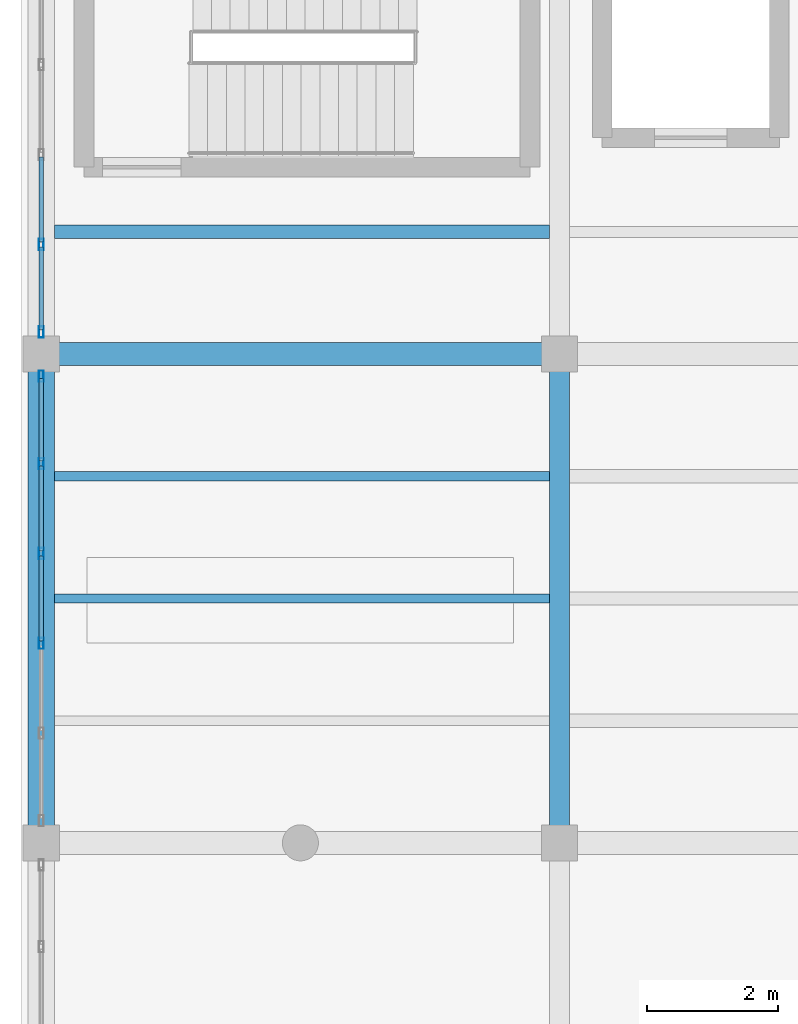
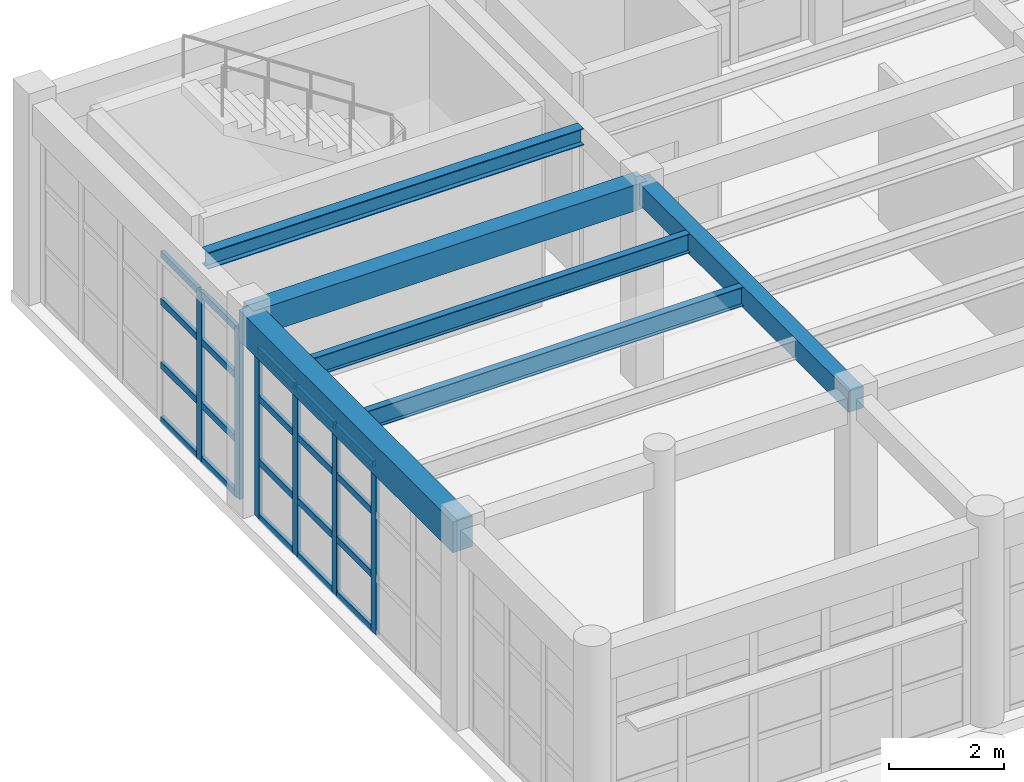
# One storey, part 5 of 85: 26 members, 6 beams, 2 elements without a shape of their own.
"""IFC4 building model written with IfcOpenShell, lengths in metres."""

from ifc_helpers import new_model, si_unit, direction, frame, origin, origin_2d, place, context, subcontext, project, spatial, rectangle, hollow_rectangle, i_section, extrude, material, layer, layer_set, material_profile, profile_set, type_object, element, aggregate, save


model = new_model("IFC4")

# Units and contexts
model_context = context("Model", 3, precision=1e-05, world=origin(), true_north=direction((0.0, 1.0)))
body_context = subcontext(model_context, "Body", "Model", "MODEL_VIEW")
ifc_project = project(units=[si_unit("LENGTHUNIT", "METRE"), si_unit("AREAUNIT", "SQUARE_METRE"), si_unit("VOLUMEUNIT", "CUBIC_METRE"), si_unit("PLANEANGLEUNIT", "RADIAN"), si_unit("MASSUNIT", "GRAM", prefix="KILO")], contexts=[model_context])

# Site, building, storey
site_placement = place(None, origin())
site = spatial("IfcSite", under=ifc_project, at=site_placement, CompositionType="ELEMENT")
building_placement = place(site_placement, origin())
building = spatial("IfcBuilding", under=site, at=building_placement, Name="Candilejo Ridge Gondola Terminal", CompositionType="ELEMENT")
storey_placement = place(building_placement, frame((0.0, 0.0, 4.5)))
storey = spatial("IfcBuildingStorey", under=building, at=storey_placement, Name="L01", CompositionType="ELEMENT", Elevation=4.5)

# Curtain wall, members
ifc_material_1 = material(Name="Anodised aluminium AA 6063-T6", Category="aluminium")
ifc_layer = layer(ifc_material_1, 0.169921875)
ifc_layer_set = layer_set([ifc_layer], Name="ARC-CW-CONCOURSE-3600-685X359")
curtain_wall_type = type_object("IfcCurtainWallType", Name="ARC-CW-CONCOURSE-3600-685X359", PredefinedType="NOTDEFINED", material=ifc_layer_set)
curtain_wall_1_placement = place(storey_placement, origin())
curtain_wall_1 = element("IfcCurtainWall", 1, at=curtain_wall_1_placement, inside=storey, type_object=curtain_wall_type, Name="Curtain wall V1 L01-020", PredefinedType="NOTDEFINED")
ifc_material_2 = material(Name="Anodised aluminium AA 6063-T6", Category="aluminium")
ifc_material_profile_1 = material_profile(ifc_material_2, hollow_rectangle(XDim=0.074951171875, YDim=0.169921875, WallThickness=0.00390625, at=origin_2d()))
ifc_profile_set_1 = profile_set([ifc_material_profile_1], Name="Anodised aluminium AA 6063-T6")
member_type_1 = type_object("IfcMemberType", Name="ARC-CW-MULLION", PredefinedType="MULLION", material=ifc_profile_set_1)
member_1_placement = place(storey_placement, frame((4.300048828125, 13.840087890625, 0.0), z_axis=(0.0, 0.0, 1.0), x_axis=(-1.0, 0.0, 0.0)))
member_1 = element("IfcMember", 2, at=member_1_placement, type_object=member_type_1, Name="CW-68X35 mullion 3", PredefinedType="MULLION", context=body_context, shape_type="SweptSolid", body=[
    extrude(hollow_rectangle(XDim=0.074951171875, YDim=0.169921875, WallThickness=0.00390625, at=origin_2d()), origin(), (0.0, 0.0, 1.0), 3.590087890625),
])
member_2_placement = place(storey_placement, frame((4.300048828125, 15.2099609375, 0.0), z_axis=(0.0, 0.0, 1.0), x_axis=(-1.0, 0.0, 0.0)))
member_2 = element("IfcMember", 3, at=member_2_placement, type_object=member_type_1, Name="CW-68X35 mullion 4", PredefinedType="MULLION", context=body_context, shape_type="SweptSolid", body=[
    extrude(hollow_rectangle(XDim=0.074951171875, YDim=0.169921875, WallThickness=0.00390625, at=origin_2d()), origin(), (0.0, 0.0, 1.0), 3.590087890625),
])
member_3_placement = place(storey_placement, frame((4.300048828125, 16.580078125, 0.0), z_axis=(0.0, 0.0, 1.0), x_axis=(-1.0, 0.0, 0.0)))
member_3 = element("IfcMember", 4, at=member_3_placement, type_object=member_type_1, Name="CW-68X35 mullion 5", PredefinedType="MULLION", context=body_context, shape_type="SweptSolid", body=[
    extrude(hollow_rectangle(XDim=0.074951171875, YDim=0.169921875, WallThickness=0.00390625, at=origin_2d()), origin(), (0.0, 0.0, 1.0), 3.590087890625),
])
member_4_placement = place(storey_placement, frame((4.300048828125, 17.91259765625, 0.0), z_axis=(0.0, 0.0, 1.0), x_axis=(-1.0, 0.0, 0.0)))
member_4 = element("IfcMember", 5, at=member_4_placement, type_object=member_type_1, Name="CW-68X35 mullion 6", PredefinedType="MULLION", context=body_context, shape_type="SweptSolid", body=[
    extrude(hollow_rectangle(XDim=0.074951171875, YDim=0.169921875, WallThickness=0.00390625, at=origin_2d()), origin(), (0.0, 0.0, 1.0), 3.590087890625),
])

curtain_wall_2_placement = place(storey_placement, origin())
curtain_wall_2 = element("IfcCurtainWall", 6, at=curtain_wall_2_placement, inside=storey, type_object=curtain_wall_type, Name="Curtain wall V1 L01-021", PredefinedType="NOTDEFINED")
member_5_placement = place(storey_placement, frame((4.300048828125, 18.58740234375, 0.0), z_axis=(0.0, 0.0, 1.0), x_axis=(-1.0, 0.0, 0.0)))
member_5 = element("IfcMember", 7, at=member_5_placement, type_object=member_type_1, Name="CW-68X35 mullion 1", PredefinedType="MULLION", context=body_context, shape_type="SweptSolid", body=[
    extrude(hollow_rectangle(XDim=0.074951171875, YDim=0.169921875, WallThickness=0.00390625, at=origin_2d()), origin(), (0.0, 0.0, 1.0), 3.590087890625),
])
member_6_placement = place(storey_placement, frame((4.300048828125, 19.919921875, 0.0), z_axis=(0.0, 0.0, 1.0), x_axis=(-1.0, 0.0, 0.0)))
member_6 = element("IfcMember", 8, at=member_6_placement, type_object=member_type_1, Name="CW-68X35 mullion 2", PredefinedType="MULLION", context=body_context, shape_type="SweptSolid", body=[
    extrude(hollow_rectangle(XDim=0.074951171875, YDim=0.169921875, WallThickness=0.00390625, at=origin_2d()), origin(), (0.0, 0.0, 1.0), 3.590087890625),
])

# Member
ifc_material_3 = material(Name="Anodised aluminium AA 6063-T6", Category="aluminium")
ifc_material_profile_2 = material_profile(ifc_material_3, hollow_rectangle(XDim=0.074951171875, YDim=0.139892578125, WallThickness=0.00390625, at=origin_2d()))
ifc_profile_set_2 = profile_set([ifc_material_profile_2], Name="Anodised aluminium AA 6063-T6")
member_type_2 = type_object("IfcMemberType", Name="ARC-CW-TRANSOM", PredefinedType="USERDEFINED", material=ifc_profile_set_2)
member_7_placement = place(storey_placement, frame((4.300048828125, 13.87744140625, 0.03759765625), z_axis=(0.0, 1.0, 0.0), x_axis=(-1.0, 0.0, 0.0)))
member_7 = element("IfcMember", 9, at=member_7_placement, type_object=member_type_2, Name="CW-68X35 transom 3.1", ObjectType="TRANSOM", PredefinedType="USERDEFINED", context=body_context, shape_type="SweptSolid", body=[
    extrude(hollow_rectangle(XDim=0.074951171875, YDim=0.139892578125, WallThickness=0.00390625, at=origin_2d()), origin(), (0.0, 0.0, 1.0), 1.295166015625),
])

member_8_placement = place(storey_placement, frame((4.300048828125, 13.87744140625, 1.199951171875), z_axis=(0.0, 1.0, 0.0), x_axis=(-1.0, 0.0, 0.0)))
member_8 = element("IfcMember", 10, at=member_8_placement, type_object=member_type_2, Name="CW-68X35 transom 3.2", ObjectType="TRANSOM", PredefinedType="USERDEFINED", context=body_context, shape_type="SweptSolid", body=[
    extrude(hollow_rectangle(XDim=0.074951171875, YDim=0.139892578125, WallThickness=0.00390625, at=origin_2d()), origin(), (0.0, 0.0, 1.0), 1.295166015625),
])

member_9_placement = place(storey_placement, frame((4.300048828125, 13.87744140625, 2.550048828125), z_axis=(0.0, 1.0, 0.0), x_axis=(-1.0, 0.0, 0.0)))
member_9 = element("IfcMember", 11, at=member_9_placement, type_object=member_type_2, Name="CW-68X35 transom 3.3", ObjectType="TRANSOM", PredefinedType="USERDEFINED", context=body_context, shape_type="SweptSolid", body=[
    extrude(hollow_rectangle(XDim=0.074951171875, YDim=0.139892578125, WallThickness=0.00390625, at=origin_2d()), origin(), (0.0, 0.0, 1.0), 1.295166015625),
])

member_10_placement = place(storey_placement, frame((4.300048828125, 13.87744140625, 3.552490234375), z_axis=(0.0, 1.0, 0.0), x_axis=(-1.0, 0.0, 0.0)))
member_10 = element("IfcMember", 12, at=member_10_placement, type_object=member_type_2, Name="CW-68X35 transom 3.4", ObjectType="TRANSOM", PredefinedType="USERDEFINED", context=body_context, shape_type="SweptSolid", body=[
    extrude(hollow_rectangle(XDim=0.074951171875, YDim=0.139892578125, WallThickness=0.00390625, at=origin_2d()), origin(), (0.0, 0.0, 1.0), 1.295166015625),
])

member_11_placement = place(storey_placement, frame((4.300048828125, 15.24755859375, 0.03759765625), z_axis=(0.0, 1.0, 0.0), x_axis=(-1.0, 0.0, 0.0)))
member_11 = element("IfcMember", 13, at=member_11_placement, type_object=member_type_2, Name="CW-68X35 transom 4.1", ObjectType="TRANSOM", PredefinedType="USERDEFINED", context=body_context, shape_type="SweptSolid", body=[
    extrude(hollow_rectangle(XDim=0.074951171875, YDim=0.139892578125, WallThickness=0.00390625, at=origin_2d()), origin(), (0.0, 0.0, 1.0), 1.294921875),
])

member_12_placement = place(storey_placement, frame((4.300048828125, 15.24755859375, 1.199951171875), z_axis=(0.0, 1.0, 0.0), x_axis=(-1.0, 0.0, 0.0)))
member_12 = element("IfcMember", 14, at=member_12_placement, type_object=member_type_2, Name="CW-68X35 transom 4.2", ObjectType="TRANSOM", PredefinedType="USERDEFINED", context=body_context, shape_type="SweptSolid", body=[
    extrude(hollow_rectangle(XDim=0.074951171875, YDim=0.139892578125, WallThickness=0.00390625, at=origin_2d()), origin(), (0.0, 0.0, 1.0), 1.294921875),
])

member_13_placement = place(storey_placement, frame((4.300048828125, 15.24755859375, 2.550048828125), z_axis=(0.0, 1.0, 0.0), x_axis=(-1.0, 0.0, 0.0)))
member_13 = element("IfcMember", 15, at=member_13_placement, type_object=member_type_2, Name="CW-68X35 transom 4.3", ObjectType="TRANSOM", PredefinedType="USERDEFINED", context=body_context, shape_type="SweptSolid", body=[
    extrude(hollow_rectangle(XDim=0.074951171875, YDim=0.139892578125, WallThickness=0.00390625, at=origin_2d()), origin(), (0.0, 0.0, 1.0), 1.294921875),
])

member_14_placement = place(storey_placement, frame((4.300048828125, 15.24755859375, 3.552490234375), z_axis=(0.0, 1.0, 0.0), x_axis=(-1.0, 0.0, 0.0)))
member_14 = element("IfcMember", 16, at=member_14_placement, type_object=member_type_2, Name="CW-68X35 transom 4.4", ObjectType="TRANSOM", PredefinedType="USERDEFINED", context=body_context, shape_type="SweptSolid", body=[
    extrude(hollow_rectangle(XDim=0.074951171875, YDim=0.139892578125, WallThickness=0.00390625, at=origin_2d()), origin(), (0.0, 0.0, 1.0), 1.294921875),
])

member_15_placement = place(storey_placement, frame((4.300048828125, 16.617431640625, 0.03759765625), z_axis=(0.0, 1.0, 0.0), x_axis=(-1.0, 0.0, 0.0)))
member_15 = element("IfcMember", 17, at=member_15_placement, type_object=member_type_2, Name="CW-68X35 transom 5.1", ObjectType="TRANSOM", PredefinedType="USERDEFINED", context=body_context, shape_type="SweptSolid", body=[
    extrude(hollow_rectangle(XDim=0.074951171875, YDim=0.139892578125, WallThickness=0.00390625, at=origin_2d()), origin(), (0.0, 0.0, 1.0), 1.257568359375),
])

member_16_placement = place(storey_placement, frame((4.300048828125, 16.617431640625, 1.199951171875), z_axis=(0.0, 1.0, 0.0), x_axis=(-1.0, 0.0, 0.0)))
member_16 = element("IfcMember", 18, at=member_16_placement, type_object=member_type_2, Name="CW-68X35 transom 5.2", ObjectType="TRANSOM", PredefinedType="USERDEFINED", context=body_context, shape_type="SweptSolid", body=[
    extrude(hollow_rectangle(XDim=0.074951171875, YDim=0.139892578125, WallThickness=0.00390625, at=origin_2d()), origin(), (0.0, 0.0, 1.0), 1.257568359375),
])

member_17_placement = place(storey_placement, frame((4.300048828125, 16.617431640625, 2.550048828125), z_axis=(0.0, 1.0, 0.0), x_axis=(-1.0, 0.0, 0.0)))
member_17 = element("IfcMember", 19, at=member_17_placement, type_object=member_type_2, Name="CW-68X35 transom 5.3", ObjectType="TRANSOM", PredefinedType="USERDEFINED", context=body_context, shape_type="SweptSolid", body=[
    extrude(hollow_rectangle(XDim=0.074951171875, YDim=0.139892578125, WallThickness=0.00390625, at=origin_2d()), origin(), (0.0, 0.0, 1.0), 1.257568359375),
])

member_18_placement = place(storey_placement, frame((4.300048828125, 16.617431640625, 3.552490234375), z_axis=(0.0, 1.0, 0.0), x_axis=(-1.0, 0.0, 0.0)))
member_18 = element("IfcMember", 20, at=member_18_placement, type_object=member_type_2, Name="CW-68X35 transom 5.4", ObjectType="TRANSOM", PredefinedType="USERDEFINED", context=body_context, shape_type="SweptSolid", body=[
    extrude(hollow_rectangle(XDim=0.074951171875, YDim=0.139892578125, WallThickness=0.00390625, at=origin_2d()), origin(), (0.0, 0.0, 1.0), 1.257568359375),
])

aggregate(curtain_wall_1, [member_1, member_2, member_3, member_4, member_7, member_8, member_9, member_10, member_11, member_12, member_13, member_14, member_15, member_16, member_17, member_18])

member_19_placement = place(storey_placement, frame((4.300048828125, 18.625, 0.03759765625), z_axis=(0.0, 1.0, 0.0), x_axis=(-1.0, 0.0, 0.0)))
member_19 = element("IfcMember", 21, at=member_19_placement, type_object=member_type_2, Name="CW-68X35 transom 1.1", ObjectType="TRANSOM", PredefinedType="USERDEFINED", context=body_context, shape_type="SweptSolid", body=[
    extrude(hollow_rectangle(XDim=0.074951171875, YDim=0.139892578125, WallThickness=0.00390625, at=origin_2d()), origin(), (0.0, 0.0, 1.0), 1.257568359375),
])

member_20_placement = place(storey_placement, frame((4.300048828125, 18.625, 1.199951171875), z_axis=(0.0, 1.0, 0.0), x_axis=(-1.0, 0.0, 0.0)))
member_20 = element("IfcMember", 22, at=member_20_placement, type_object=member_type_2, Name="CW-68X35 transom 1.2", ObjectType="TRANSOM", PredefinedType="USERDEFINED", context=body_context, shape_type="SweptSolid", body=[
    extrude(hollow_rectangle(XDim=0.074951171875, YDim=0.139892578125, WallThickness=0.00390625, at=origin_2d()), origin(), (0.0, 0.0, 1.0), 1.257568359375),
])

member_21_placement = place(storey_placement, frame((4.300048828125, 18.625, 2.550048828125), z_axis=(0.0, 1.0, 0.0), x_axis=(-1.0, 0.0, 0.0)))
member_21 = element("IfcMember", 23, at=member_21_placement, type_object=member_type_2, Name="CW-68X35 transom 1.3", ObjectType="TRANSOM", PredefinedType="USERDEFINED", context=body_context, shape_type="SweptSolid", body=[
    extrude(hollow_rectangle(XDim=0.074951171875, YDim=0.139892578125, WallThickness=0.00390625, at=origin_2d()), origin(), (0.0, 0.0, 1.0), 1.257568359375),
])

member_22_placement = place(storey_placement, frame((4.300048828125, 18.625, 3.552490234375), z_axis=(0.0, 1.0, 0.0), x_axis=(-1.0, 0.0, 0.0)))
member_22 = element("IfcMember", 24, at=member_22_placement, type_object=member_type_2, Name="CW-68X35 transom 1.4", ObjectType="TRANSOM", PredefinedType="USERDEFINED", context=body_context, shape_type="SweptSolid", body=[
    extrude(hollow_rectangle(XDim=0.074951171875, YDim=0.139892578125, WallThickness=0.00390625, at=origin_2d()), origin(), (0.0, 0.0, 1.0), 1.257568359375),
])

member_23_placement = place(storey_placement, frame((4.300048828125, 19.95751953125, 0.03759765625), z_axis=(0.0, 1.0, 0.0), x_axis=(-1.0, 0.0, 0.0)))
member_23 = element("IfcMember", 25, at=member_23_placement, type_object=member_type_2, Name="CW-68X35 transom 2.1", ObjectType="TRANSOM", PredefinedType="USERDEFINED", context=body_context, shape_type="SweptSolid", body=[
    extrude(hollow_rectangle(XDim=0.074951171875, YDim=0.139892578125, WallThickness=0.00390625, at=origin_2d()), origin(), (0.0, 0.0, 1.0), 1.294921875),
])

member_24_placement = place(storey_placement, frame((4.300048828125, 19.95751953125, 1.199951171875), z_axis=(0.0, 1.0, 0.0), x_axis=(-1.0, 0.0, 0.0)))
member_24 = element("IfcMember", 26, at=member_24_placement, type_object=member_type_2, Name="CW-68X35 transom 2.2", ObjectType="TRANSOM", PredefinedType="USERDEFINED", context=body_context, shape_type="SweptSolid", body=[
    extrude(hollow_rectangle(XDim=0.074951171875, YDim=0.139892578125, WallThickness=0.00390625, at=origin_2d()), origin(), (0.0, 0.0, 1.0), 1.294921875),
])

member_25_placement = place(storey_placement, frame((4.300048828125, 19.95751953125, 2.550048828125), z_axis=(0.0, 1.0, 0.0), x_axis=(-1.0, 0.0, 0.0)))
member_25 = element("IfcMember", 27, at=member_25_placement, type_object=member_type_2, Name="CW-68X35 transom 2.3", ObjectType="TRANSOM", PredefinedType="USERDEFINED", context=body_context, shape_type="SweptSolid", body=[
    extrude(hollow_rectangle(XDim=0.074951171875, YDim=0.139892578125, WallThickness=0.00390625, at=origin_2d()), origin(), (0.0, 0.0, 1.0), 1.294921875),
])

member_26_placement = place(storey_placement, frame((4.300048828125, 19.95751953125, 3.552490234375), z_axis=(0.0, 1.0, 0.0), x_axis=(-1.0, 0.0, 0.0)))
member_26 = element("IfcMember", 28, at=member_26_placement, type_object=member_type_2, Name="CW-68X35 transom 2.4", ObjectType="TRANSOM", PredefinedType="USERDEFINED", context=body_context, shape_type="SweptSolid", body=[
    extrude(hollow_rectangle(XDim=0.074951171875, YDim=0.139892578125, WallThickness=0.00390625, at=origin_2d()), origin(), (0.0, 0.0, 1.0), 1.294921875),
])

aggregate(curtain_wall_2, [member_5, member_6, member_19, member_20, member_21, member_22, member_23, member_24, member_25, member_26])

# Beams
ifc_material_4 = material(Name="Concrete f'c 35 MPa (C35/45)", Category="concrete")
ifc_material_profile_3 = material_profile(ifc_material_4, rectangle(XDim=0.300048828125, YDim=0.449951171875, at=origin_2d()))
ifc_profile_set_3 = profile_set([ifc_material_profile_3], Name="Concrete f'c 35 MPa (C35/45)")
beam_type_1 = type_object("IfcBeamType", Name="STR-BM-RC300X450", PredefinedType="BEAM", material=ifc_profile_set_3)
beam_1_placement = place(storey_placement, frame((12.199951171875, 10.800048828125, 4.02490234375), z_axis=(0.0, 1.0, 0.0), x_axis=(-1.0, 0.0, 0.0)))
element("IfcBeam", 29, at=beam_1_placement, inside=storey, type_object=beam_type_1, Name="Beam Y V1 L01 Y02-Y03@X02", PredefinedType="BEAM", context=body_context, shape_type="SweptSolid", body=[
    extrude(rectangle(XDim=0.300048828125, YDim=0.449951171875, at=origin_2d()), origin(), (0.0, 0.0, 1.0), 7.449951171875),
])
ifc_material_5 = material(Name="Concrete f'c 35 MPa (C35/45)", Category="concrete")
ifc_material_profile_4 = material_profile(ifc_material_5, rectangle(XDim=0.35009765625, YDim=0.550048828125, at=origin_2d()))
ifc_profile_set_4 = profile_set([ifc_material_profile_4], Name="Concrete f'c 35 MPa (C35/45)")
beam_type_2 = type_object("IfcBeamType", Name="STR-BM-RC350X550", PredefinedType="BEAM", material=ifc_profile_set_4)
beam_2_placement = place(storey_placement, frame((4.300048828125, 18.25, 3.97509765625), z_axis=(1.0, 0.0, 0.0), x_axis=(0.0, 1.0, 0.0)))
element("IfcBeam", 30, at=beam_2_placement, inside=storey, type_object=beam_type_2, Name="Beam X V1 L01 X01-X02@Y03", PredefinedType="BEAM", context=body_context, shape_type="SweptSolid", body=[
    extrude(rectangle(XDim=0.35009765625, YDim=0.550048828125, at=origin_2d()), origin(), (0.0, 0.0, 1.0), 7.89990234375),
])
ifc_material_6 = material(Name="Steel ASTM A992 Grade 50", Category="steel")
ifc_material_profile_5 = material_profile(ifc_material_6, i_section(OverallWidth=0.205078125, OverallDepth=0.35400390625, WebThickness=0.009521484375, FlangeThickness=0.016845703125, at=origin_2d()))
ifc_profile_set_5 = profile_set([ifc_material_profile_5], Name="Steel ASTM A992 Grade 50")
beam_type_3 = type_object("IfcBeamType", Name="STR-JST-W360X79", PredefinedType="JOIST", material=ifc_profile_set_5)
beam_3_placement = place(storey_placement, frame((4.5, 20.112548828125, 4.072998046875), z_axis=(1.0, 0.0, 0.0), x_axis=(0.0, 1.0, 0.0)))
element("IfcBeam", 31, at=beam_3_placement, inside=storey, type_object=beam_type_3, Name="Composite joist V1 L01-0120", PredefinedType="JOIST", context=body_context, shape_type="SweptSolid", body=[
    extrude(i_section(OverallWidth=0.205078125, OverallDepth=0.35400390625, WebThickness=0.009521484375, FlangeThickness=0.016845703125, at=origin_2d()), origin(), (0.0, 0.0, 1.0), 7.550048828125),
])
ifc_material_7 = material(Name="Steel ASTM A992 Grade 50", Category="steel")
ifc_material_profile_6 = material_profile(ifc_material_7, i_section(OverallWidth=0.139892578125, OverallDepth=0.403076171875, WebThickness=0.007080078125, FlangeThickness=0.01123046875, at=origin_2d()))
ifc_profile_set_6 = profile_set([ifc_material_profile_6], Name="Steel ASTM A992 Grade 50")
beam_type_4 = type_object("IfcBeamType", Name="STR-JST-W410X46", PredefinedType="JOIST", material=ifc_profile_set_6)
for number, where, z_axis, x_axis, name in (
    (32, (4.5, 14.52490234375, 4.048583984375), (1.0, 0.0, 0.0), (0.0, 1.0, 0.0), "Composite joist V1 L01-0118"),
    (33, (4.5, 16.387451171875, 4.048583984375), (1.0, 0.0, 0.0), (0.0, 1.0, 0.0), "Composite joist V1 L01-0119"),
):
    element("IfcBeam", number, at=place(storey_placement, frame(where, z_axis=z_axis, x_axis=x_axis)), inside=storey, type_object=beam_type_4, Name=name, PredefinedType="JOIST", context=body_context, shape_type="SweptSolid", body=[
        extrude(i_section(OverallWidth=0.139892578125, OverallDepth=0.403076171875, WebThickness=0.007080078125, FlangeThickness=0.01123046875, at=origin_2d()), origin(), (0.0, 0.0, 1.0), 7.550048828125),
    ])
ifc_material_8 = material(Name="Concrete f'c 35 MPa (C35/45)", Category="concrete")
ifc_material_profile_7 = material_profile(ifc_material_8, rectangle(XDim=0.39990234375, YDim=0.64990234375, at=origin_2d()))
ifc_profile_set_7 = profile_set([ifc_material_profile_7], Name="Concrete f'c 35 MPa (C35/45)")
beam_type_5 = type_object("IfcBeamType", Name="STR-SPN-RC400X650", PredefinedType="SPANDREL", material=ifc_profile_set_7)
beam_4_placement = place(storey_placement, frame((4.300048828125, 10.800048828125, 3.925048828125), z_axis=(0.0, 1.0, 0.0), x_axis=(-1.0, 0.0, 0.0)))
element("IfcBeam", 34, at=beam_4_placement, inside=storey, type_object=beam_type_5, Name="Beam Y V1 L01 Y02-Y03@X01", PredefinedType="SPANDREL", context=body_context, shape_type="SweptSolid", body=[
    extrude(rectangle(XDim=0.39990234375, YDim=0.64990234375, at=origin_2d()), origin(), (0.0, 0.0, 1.0), 7.449951171875),
])

save(model, "model.ifc")
